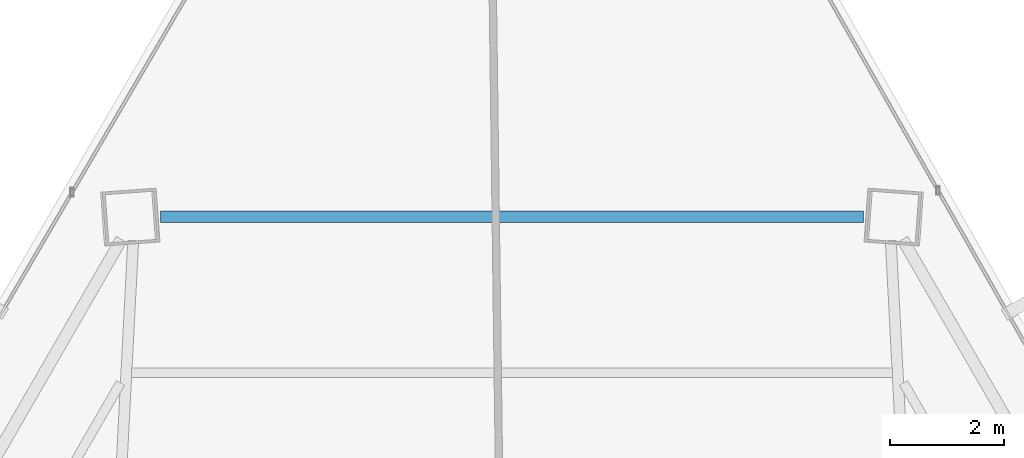
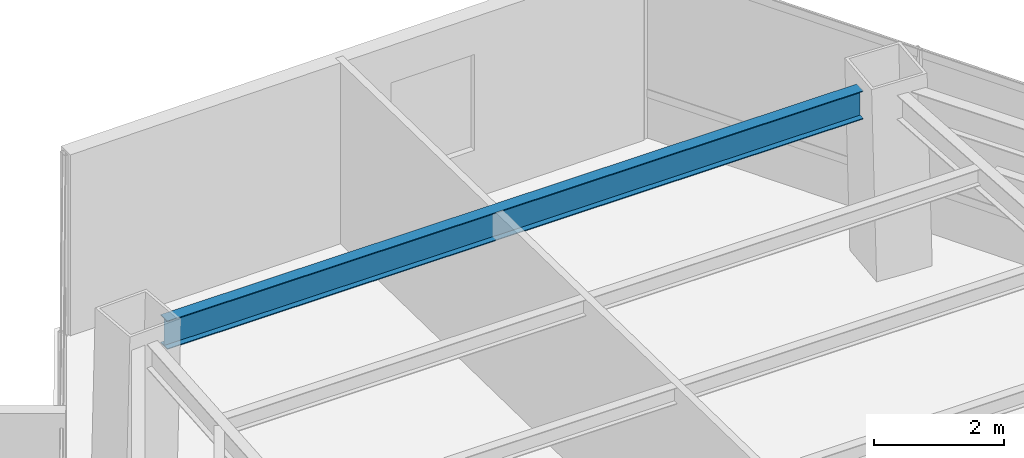
# One storey, part 29 of 41: 1 beam.
"""IFC4 building model written with IfcOpenShell, lengths in metres."""

from ifc_helpers import new_model, si_unit, direction, frame, origin, origin_2d, place, context, subcontext, project, spatial, i_section, extrude, source, transform, mapped, material, material_profile, profile_set, type_object, type_shapes, element, save


model = new_model("IFC4")

# Units and contexts
model_context = context("Model", 3, precision=1e-05, world=origin(), true_north=direction((0.0, 1.0)))
body_context = subcontext(model_context, "Body", "Model", "MODEL_VIEW")
ifc_project = project(units=[si_unit("LENGTHUNIT", "METRE"), si_unit("AREAUNIT", "SQUARE_METRE"), si_unit("VOLUMEUNIT", "CUBIC_METRE"), si_unit("PLANEANGLEUNIT", "RADIAN"), si_unit("MASSUNIT", "GRAM", prefix="KILO")], contexts=[model_context])

# Site, building, storey
site_placement = place(None, origin())
site = spatial("IfcSite", under=ifc_project, at=site_placement, CompositionType="ELEMENT")
building_placement = place(site_placement, origin())
building = spatial("IfcBuilding", under=site, at=building_placement, Name="Caelisora Broadcast Tower", CompositionType="ELEMENT")
storey_placement = place(building_placement, frame((0.0, 0.0, 135.449951171875)))
storey = spatial("IfcBuildingStorey", under=building, at=storey_placement, Name="L35", CompositionType="ELEMENT", Elevation=135.449951171875)

# Beam
ifc_material = material(Name="Steel Grade 350 (AS/NZS 3679.1)", Category="steel")
ifc_material_profile = material_profile(ifc_material, i_section(OverallWidth=0.208984375, OverallDepth=0.532958984375, WebThickness=0.01025390625, FlangeThickness=0.015625, at=origin_2d()), Name="Steel Grade 350 (AS/NZS 3679.1)")
ifc_profile_set = profile_set([ifc_material_profile], Name="Steel Grade 350 (AS/NZS 3679.1)")
beam_type = type_object("IfcBeamType", Name="PG05", PredefinedType="BEAM", material=ifc_profile_set)
shared_shape = source(origin(), body_context, "Body", "SweptSolid", [
    extrude(i_section(OverallWidth=0.208984375, OverallDepth=0.532958984375, WebThickness=0.01025390625, FlangeThickness=0.015625, at=origin_2d()), origin(), (0.0, 0.0, 1.0), 12.3759765625),
])
type_shapes(beam_type, [shared_shape])
beam_placement = place(storey_placement, frame((44.18798828125, 46.46826171875, 3.133544921875), z_axis=(-1.0, 0.0, 0.0), x_axis=(0.0, -1.0, 0.0)))
element("IfcBeam", 1, at=beam_placement, inside=storey, type_object=beam_type, Name="L35 beam PG05", PredefinedType="BEAM", context=body_context, shape_type="MappedRepresentation", body=[
    mapped(shared_shape, transform((0.0, 0.0, 0.0), scale=1.0)),
])

save(model, "model.ifc")
